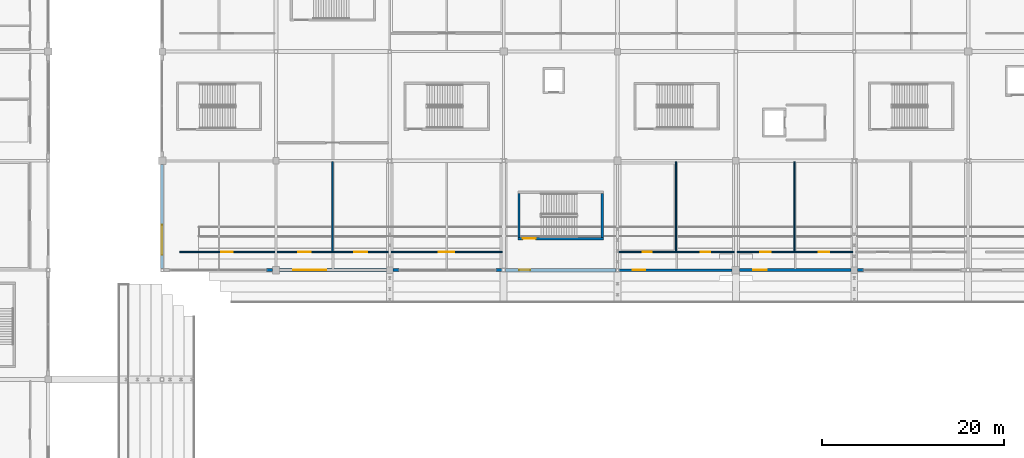
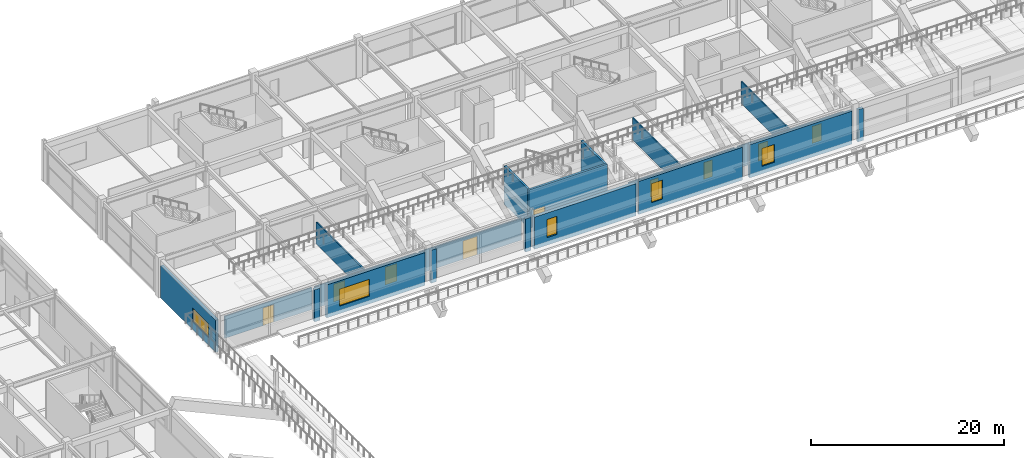
# One storey, part 90 of 128: 20 walls, 9 doors, 5 windows, 14 openings.
"""IFC4 building model written with IfcOpenShell, lengths in metres."""

from ifc_helpers import new_model, si_unit, direction, frame, frame_2d, origin, place, context, subcontext, project, spatial, rectangle, extrude, material, layer, layer_set, type_object, element, fill, save


model = new_model("IFC4")

# Units and contexts
model_context = context("Model", 3, precision=1e-05, world=origin(), true_north=direction((0.0, 1.0)))
body_context = subcontext(model_context, "Body", "Model", "MODEL_VIEW")
ifc_project = project(units=[si_unit("LENGTHUNIT", "METRE"), si_unit("AREAUNIT", "SQUARE_METRE"), si_unit("VOLUMEUNIT", "CUBIC_METRE"), si_unit("PLANEANGLEUNIT", "RADIAN"), si_unit("MASSUNIT", "GRAM", prefix="KILO")], contexts=[model_context])

# Site, building, storey
site_placement = place(None, origin())
site = spatial("IfcSite", under=ifc_project, at=site_placement, CompositionType="ELEMENT")
building_placement = place(site_placement, origin())
building = spatial("IfcBuilding", under=site, at=building_placement, Name="Kazenohara Klinker Stadium", CompositionType="ELEMENT")
storey_placement = place(building_placement, frame((0.0, 0.0, 15.300048828125)))
storey = spatial("IfcBuildingStorey", under=building, at=storey_placement, Name="L03", CompositionType="ELEMENT", Elevation=15.300048828125)

# Wall, opening, door
ifc_material_1 = material(Name="Concrete C40/50", Category="concrete")
ifc_layer_1 = layer(ifc_material_1, 0.25)
ifc_layer_set_1 = layer_set([ifc_layer_1], Name="Concrete C40/50")
wall_type_1 = type_object("IfcWallType", Name="WAL-CORE-250", PredefinedType="SHEAR", material=ifc_layer_set_1)
wall_1_placement = place(storey_placement, frame((88.050048828125, 135.455078125, 0.0), z_axis=(0.0, 0.0, 1.0), x_axis=(1.0, 0.0, 0.0)))
wall_1 = element("IfcWall", 1, at=wall_1_placement, inside=storey, type_object=wall_type_1, Name="Stairwell shear wall ST19 L03 South", PredefinedType="SHEAR", context=body_context, shape_type="SweptSolid", body=[
    extrude(rectangle(XDim=9.39990234375, YDim=0.25, at=frame_2d((4.699951171875, 0.0))), origin(), (0.0, 0.0, 1.0), 4.85986328125),
])
opening_1_placement = place(wall_1_placement, frame((0.550048828125, 0.0, 0.0)))
opening_1 = element("IfcOpeningElement", 2, at=opening_1_placement, cuts=wall_1, Name="Opening SD01", PredefinedType="OPENING", context=body_context, shape_type="SweptSolid", body=[
    extrude(rectangle(XDim=1.39990234375, YDim=2.14990234375, at=frame_2d((0.699951171875, 1.074951171875))), frame((0.0, 0.135009765625, 0.0), z_axis=(0.0, -1.0, 0.0), x_axis=(1.0, 0.0, 0.0)), (0.0, 0.0, 1.0), 0.27001953125),
])
ifc_material_2 = material(Name="Flush painted steel fire door leaf", Category="steel")
door_type_1 = type_object("IfcDoorType", Name="DR-STR-1400x2150", OperationType="NOTDEFINED", PredefinedType="DOOR", material=ifc_material_2)
door_1_placement = place(opening_1_placement, origin())
door_1 = element("IfcDoor", 3, at=door_1_placement, inside=storey, type_object=door_type_1, Name="Escape stairwell fire door ST19-L03", OperationType="SINGLE_SWING_RIGHT", OverallHeight=2.14990234375, OverallWidth=1.39990234375, PredefinedType="DOOR", context=body_context, shape_type="SweptSolid", body=[
    extrude(rectangle(XDim=1.39990234375, YDim=2.14990234375, at=frame_2d((0.699951171875, 1.074951171875))), frame((0.0, 0.02490234375, 0.0), z_axis=(0.0, -1.0, 0.0), x_axis=(1.0, 0.0, 0.0)), (0.0, 0.0, 1.0), 0.050048828125),
])
fill(opening_1, door_1)

# Walls
for number, where, z_axis, x_axis, name in (
    (4, (88.175048828125, 135.580078125, 0.0), (0.0, 0.0, 1.0), (0.0, 1.0, 0.0), "Stairwell shear wall ST19 L03 West"),
    (5, (97.324951171875, 135.580078125, 0.0), (0.0, 0.0, 1.0), (0.0, 1.0, 0.0), "Stairwell shear wall ST19 L03 East"),
):
    element("IfcWall", number, at=place(storey_placement, frame(where, z_axis=z_axis, x_axis=x_axis)), inside=storey, type_object=wall_type_1, Name=name, PredefinedType="SHEAR", context=body_context, shape_type="SweptSolid", body=[
        extrude(rectangle(XDim=4.83984375, YDim=0.25, at=frame_2d((2.419921875, 0.0))), origin(), (0.0, 0.0, 1.0), 4.85986328125),
    ])

# Wall, opening, window
ifc_material_3 = material(Name="Clinker brick masonry", Category="masonry")
ifc_layer_2 = layer(ifc_material_3, 0.280029296875)
ifc_layer_set_2 = layer_set([ifc_layer_2], Name="Clinker brick masonry")
wall_type_2 = type_object("IfcWallType", Name="WAL-EXT-CB280", PredefinedType="SOLIDWALL", material=ifc_layer_set_2)
wall_2_placement = place(storey_placement, frame((99.178955078125, 132.0, 0.0), z_axis=(0.0, 0.0, 1.0), x_axis=(1.0, 0.0, 0.0)))
wall_2 = element("IfcWall", 6, at=wall_2_placement, inside=storey, type_object=wall_type_2, Name="Clinker brick cavity wall EW06 L03 X8-11", PredefinedType="SOLIDWALL", context=body_context, shape_type="SweptSolid", body=[
    extrude(rectangle(XDim=12.4169921875, YDim=0.280029296875, at=frame_2d((6.20849609375, 0.0))), origin(), (0.0, 0.0, 1.0), 4.159912109375),
])
opening_2_placement = place(wall_2_placement, frame((1.5, 0.0, 0.949951171875)))
opening_2 = element("IfcOpeningElement", 7, at=opening_2_placement, cuts=wall_2, Name="Opening W08", PredefinedType="OPENING", context=body_context, shape_type="SweptSolid", body=[
    extrude(rectangle(XDim=1.35009765625, YDim=2.39990234375, at=frame_2d((0.675048828125, 1.199951171875))), frame((0.0, 0.14990234375, 0.0), z_axis=(0.0, -1.0, 0.0), x_axis=(1.0, 0.0, 0.0)), (0.0, 0.0, 1.0), 0.300048828125),
])
ifc_material_4 = material(Name="Dark bronze aluminium frame and triple glazing", Category="aluminium")
window_type_1 = type_object("IfcWindowType", Name="WIN-AS-08", PartitioningType="SINGLE_PANEL", PredefinedType="WINDOW", material=ifc_material_4)
window_1_placement = place(opening_2_placement, origin())
window_1 = element("IfcWindow", 8, at=window_1_placement, inside=storey, type_object=window_type_1, Name="Horizontal-mullion ladder window W08 L03 X8-11", OverallHeight=2.39990234375, OverallWidth=1.35009765625, PartitioningType="SINGLE_PANEL", PredefinedType="WINDOW", context=body_context, shape_type="SweptSolid", body=[
    extrude(rectangle(XDim=1.35009765625, YDim=2.39990234375, at=frame_2d((0.675048828125, 1.199951171875))), frame((0.0, 0.030029296875, 0.0), z_axis=(0.0, -1.0, 0.0), x_axis=(1.0, 0.0, 0.0)), (0.0, 0.0, 1.0), 0.06005859375),
])
fill(opening_2, window_1)

# Wall
ifc_layer_3 = layer(ifc_material_3, 0.340087890625)
ifc_layer_set_3 = layer_set([ifc_layer_3], Name="Clinker brick masonry")
wall_type_3 = type_object("IfcWallType", Name="WAL-EXT-CB340", PredefinedType="SOLIDWALL", material=ifc_layer_set_3)
wall_3_placement = place(storey_placement, frame((60.446044921875, 132.0, 0.0), z_axis=(0.0, 0.0, 1.0), x_axis=(1.0, 0.0, 0.0)))
element("IfcWall", 9, at=wall_3_placement, inside=storey, type_object=wall_type_3, Name="Clinker brick curtain-wall jamb pier L03 X4-11 B", PredefinedType="SOLIDWALL", context=body_context, shape_type="SweptSolid", body=[
    extrude(rectangle(XDim=0.64990234375, YDim=0.340087890625, at=frame_2d((0.324951171875, 0.0))), origin(), (0.0, 0.0, 1.0), 4.06005859375),
])

# Wall, opening, window
wall_4_placement = place(storey_placement, frame((49.0, 132.178955078125, 0.0), z_axis=(0.0, 0.0, 1.0), x_axis=(0.0, 1.0, 0.0)))
wall_4 = element("IfcWall", 10, at=wall_4_placement, inside=storey, type_object=wall_type_3, Name="Clinker brick cavity wall EW04 L03 Y4-11", PredefinedType="SOLIDWALL", context=body_context, shape_type="SweptSolid", body=[
    extrude(rectangle(XDim=11.4169921875, YDim=0.340087890625, at=frame_2d((5.70849609375, 0.0))), origin(), (0.0, 0.0, 1.0), 4.06005859375),
])
opening_3_placement = place(wall_4_placement, frame((1.5, 0.0, 0.949951171875)))
opening_3 = element("IfcOpeningElement", 11, at=opening_3_placement, cuts=wall_4, Name="Opening W33", PredefinedType="OPENING", context=body_context, shape_type="SweptSolid", body=[
    extrude(rectangle(XDim=3.300048828125, YDim=1.800048828125, at=frame_2d((1.64990234375, 0.89990234375))), frame((0.0, 0.18017578125, 0.0), z_axis=(0.0, -1.0, 0.0), x_axis=(1.0, 0.0, 0.0)), (0.0, 0.0, 1.0), 0.360107421875),
])
window_type_2 = type_object("IfcWindowType", Name="WIN-AS-33", PartitioningType="SINGLE_PANEL", PredefinedType="WINDOW", material=ifc_material_4)
window_2_placement = place(opening_3_placement, origin())
window_2 = element("IfcWindow", 12, at=window_2_placement, inside=storey, type_object=window_type_2, Name="Horizontal-mullion ladder window W33 L03 Y4-11", OverallHeight=1.800048828125, OverallWidth=3.300048828125, PartitioningType="SINGLE_PANEL", PredefinedType="WINDOW", context=body_context, shape_type="SweptSolid", body=[
    extrude(rectangle(XDim=3.300048828125, YDim=1.800048828125, at=frame_2d((1.64990234375, 0.89990234375))), frame((0.0, 0.030029296875, 0.0), z_axis=(0.0, -1.0, 0.0), x_axis=(1.0, 0.0, 0.0)), (0.0, 0.0, 1.0), 0.06005859375),
])
fill(opening_3, window_2)

wall_5_placement = place(storey_placement, frame((61.904052734375, 132.0, 0.0), z_axis=(0.0, 0.0, 1.0), x_axis=(1.0, 0.0, 0.0)))
wall_5 = element("IfcWall", 13, at=wall_5_placement, inside=storey, type_object=wall_type_3, Name="Clinker brick cavity wall EW04 L03 X5-11", PredefinedType="SOLIDWALL", context=body_context, shape_type="SweptSolid", body=[
    extrude(rectangle(XDim=11.741943359375, YDim=0.340087890625, at=frame_2d((5.87109375, 0.0))), origin(), (0.0, 0.0, 1.0), 4.159912109375),
])
opening_4_placement = place(wall_5_placement, frame((1.5, 0.0, 0.949951171875)))
opening_4 = element("IfcOpeningElement", 14, at=opening_4_placement, cuts=wall_5, Name="Opening W36", PredefinedType="OPENING", context=body_context, shape_type="SweptSolid", body=[
    extrude(rectangle(XDim=3.60009765625, YDim=2.14990234375, at=frame_2d((1.800048828125, 1.074951171875))), frame((0.0, 0.18017578125, 0.0), z_axis=(0.0, -1.0, 0.0), x_axis=(1.0, 0.0, 0.0)), (0.0, 0.0, 1.0), 0.360107421875),
])
window_type_3 = type_object("IfcWindowType", Name="WIN-AS-36", PartitioningType="SINGLE_PANEL", PredefinedType="WINDOW", material=ifc_material_4)
window_3_placement = place(opening_4_placement, origin())
window_3 = element("IfcWindow", 15, at=window_3_placement, inside=storey, type_object=window_type_3, Name="Horizontal-mullion ladder window W36 L03 X5-11", OverallHeight=2.14990234375, OverallWidth=3.60009765625, PartitioningType="SINGLE_PANEL", PredefinedType="WINDOW", context=body_context, shape_type="SweptSolid", body=[
    extrude(rectangle(XDim=3.60009765625, YDim=2.14990234375, at=frame_2d((1.800048828125, 1.074951171875))), frame((0.0, 0.030029296875, 0.0), z_axis=(0.0, -1.0, 0.0), x_axis=(1.0, 0.0, 0.0)), (0.0, 0.0, 1.0), 0.06005859375),
])
fill(opening_4, window_3)

# Walls
for number, where, z_axis, x_axis, name in (
    (16, (74.35400390625, 132.0, 0.0), (0.0, 0.0, 1.0), (1.0, 0.0, 0.0), "Clinker brick curtain-wall jamb pier L03 X6-11 A"),
    (17, (85.64599609375, 132.0, 0.0), (0.0, 0.0, 1.0), (1.0, 0.0, 0.0), "Clinker brick curtain-wall jamb pier L03 X6-11 B"),
):
    element("IfcWall", number, at=place(storey_placement, frame(where, z_axis=z_axis, x_axis=x_axis)), inside=storey, type_object=wall_type_3, Name=name, PredefinedType="SOLIDWALL", context=body_context, shape_type="SweptSolid", body=[
        extrude(rectangle(XDim=0.64990234375, YDim=0.340087890625, at=frame_2d((0.324951171875, 0.0))), origin(), (0.0, 0.0, 1.0), 4.171875),
    ])

# Wall, opening, window
wall_6_placement = place(storey_placement, frame((112.404052734375, 132.0, 0.0), z_axis=(0.0, 0.0, 1.0), x_axis=(1.0, 0.0, 0.0)))
wall_6 = element("IfcWall", 18, at=wall_6_placement, inside=storey, type_object=wall_type_3, Name="Clinker brick cavity wall EW04 L03 X9-11", PredefinedType="SOLIDWALL", context=body_context, shape_type="SweptSolid", body=[
    extrude(rectangle(XDim=12.241943359375, YDim=0.340087890625, at=frame_2d((6.12109375, 0.0))), origin(), (0.0, 0.0, 1.0), 4.171875),
])
opening_5_placement = place(wall_6_placement, frame((1.5, 0.0, 0.949951171875)))
opening_5 = element("IfcOpeningElement", 19, at=opening_5_placement, cuts=wall_6, Name="Opening W10", PredefinedType="OPENING", context=body_context, shape_type="SweptSolid", body=[
    extrude(rectangle(XDim=1.5, YDim=2.25, at=frame_2d((0.75, 1.125))), frame((0.0, 0.18017578125, 0.0), z_axis=(0.0, -1.0, 0.0), x_axis=(1.0, 0.0, 0.0)), (0.0, 0.0, 1.0), 0.360107421875),
])
window_type_4 = type_object("IfcWindowType", Name="WIN-AS-10", PartitioningType="SINGLE_PANEL", PredefinedType="WINDOW", material=ifc_material_4)
window_4_placement = place(opening_5_placement, origin())
window_4 = element("IfcWindow", 20, at=window_4_placement, inside=storey, type_object=window_type_4, Name="Horizontal-mullion ladder window W10 L03 X9-11", OverallHeight=2.25, OverallWidth=1.5, PartitioningType="SINGLE_PANEL", PredefinedType="WINDOW", context=body_context, shape_type="SweptSolid", body=[
    extrude(rectangle(XDim=1.5, YDim=2.25, at=frame_2d((0.75, 1.125))), frame((0.0, 0.030029296875, 0.0), z_axis=(0.0, -1.0, 0.0), x_axis=(1.0, 0.0, 0.0)), (0.0, 0.0, 1.0), 0.06005859375),
])
fill(opening_5, window_4)

# Wall
wall_7_placement = place(storey_placement, frame((125.35400390625, 132.0, 0.0), z_axis=(0.0, 0.0, 1.0), x_axis=(1.0, 0.0, 0.0)))
element("IfcWall", 21, at=wall_7_placement, inside=storey, type_object=wall_type_3, Name="Clinker brick curtain-wall jamb pier L03 X10-11 A", PredefinedType="SOLIDWALL", context=body_context, shape_type="SweptSolid", body=[
    extrude(rectangle(XDim=0.64990234375, YDim=0.340087890625, at=frame_2d((0.324951171875, 0.0))), origin(), (0.0, 0.0, 1.0), 4.06005859375),
])

# Wall, opening, window
ifc_layer_4 = layer(ifc_material_3, 0.409912109375)
ifc_layer_set_4 = layer_set([ifc_layer_4], Name="Clinker brick masonry")
wall_type_4 = type_object("IfcWallType", Name="WAL-EXT-CB410", PredefinedType="SOLIDWALL", material=ifc_layer_set_4)
wall_8_placement = place(storey_placement, frame((86.7041015625, 132.0, 0.0), z_axis=(0.0, 0.0, 1.0), x_axis=(1.0, 0.0, 0.0)))
wall_8 = element("IfcWall", 22, at=wall_8_placement, inside=storey, type_object=wall_type_4, Name="Clinker brick cavity wall EW02 L03 X7-11", PredefinedType="SOLIDWALL", context=body_context, shape_type="SweptSolid", body=[
    extrude(rectangle(XDim=12.116943359375, YDim=0.409912109375, at=frame_2d((6.05859375, 0.0))), origin(), (0.0, 0.0, 1.0), 4.06005859375),
])
opening_6_placement = place(wall_8_placement, frame((1.5, 0.0, 0.949951171875)))
opening_6 = element("IfcOpeningElement", 23, at=opening_6_placement, cuts=wall_8, Name="Opening W06", PredefinedType="OPENING", context=body_context, shape_type="SweptSolid", body=[
    extrude(rectangle(XDim=1.199951171875, YDim=2.300048828125, at=frame_2d((0.60009765625, 1.14990234375))), frame((0.0, 0.21484375, 0.0), z_axis=(0.0, -1.0, 0.0), x_axis=(1.0, 0.0, 0.0)), (0.0, 0.0, 1.0), 0.429931640625),
])
window_type_5 = type_object("IfcWindowType", Name="WIN-AS-06", PartitioningType="SINGLE_PANEL", PredefinedType="WINDOW", material=ifc_material_4)
window_5_placement = place(opening_6_placement, origin())
window_5 = element("IfcWindow", 24, at=window_5_placement, inside=storey, type_object=window_type_5, Name="Horizontal-mullion ladder window W06 L03 X7-11", OverallHeight=2.300048828125, OverallWidth=1.199951171875, PartitioningType="SINGLE_PANEL", PredefinedType="WINDOW", context=body_context, shape_type="SweptSolid", body=[
    extrude(rectangle(XDim=1.199951171875, YDim=2.300048828125, at=frame_2d((0.60009765625, 1.14990234375))), frame((0.0, 0.030029296875, 0.0), z_axis=(0.0, -1.0, 0.0), x_axis=(1.0, 0.0, 0.0)), (0.0, 0.0, 1.0), 0.06005859375),
])
fill(opening_6, window_5)

# Wall, openings, doors
ifc_material_5 = material(Name="Fire-rated gypsum board on acoustic studs", Category="gypsum")
ifc_layer_5 = layer(ifc_material_5, 0.1201171875)
ifc_layer_set_5 = layer_set([ifc_layer_5], Name="Fire-rated gypsum board on acoustic studs")
wall_type_5 = type_object("IfcWallType", Name="WAL-INT-P120", PredefinedType="PARTITIONING", material=ifc_layer_set_5)
wall_9_placement = place(storey_placement, frame((99.159912109375, 133.989990234375, 0.0), z_axis=(0.0, 0.0, 1.0), x_axis=(1.0, 0.0, 0.0)))
wall_9 = element("IfcWall", 25, at=wall_9_placement, inside=storey, type_object=wall_type_5, Name="Interior partition wall PT02 SPC-L03-08-11-1-1", PredefinedType="PARTITIONING", context=body_context, shape_type="SweptSolid", body=[
    extrude(rectangle(XDim=12.68017578125, YDim=0.1201171875, at=frame_2d((6.340087890625, 0.0))), origin(), (0.0, 0.0, 1.0), 2.77001953125),
])
opening_7_placement = place(wall_9_placement, frame((2.598388671875, 0.0, 0.0)))
opening_7 = element("IfcOpeningElement", 26, at=opening_7_placement, cuts=wall_9, Name="Opening ID05", PredefinedType="OPENING", context=body_context, shape_type="SweptSolid", body=[
    extrude(rectangle(XDim=1.0, YDim=2.139892578125, at=frame_2d((0.5, 1.06982421875))), frame((0.0, 0.070068359375, 0.0), z_axis=(0.0, -1.0, 0.0), x_axis=(1.0, 0.0, 0.0)), (0.0, 0.0, 1.0), 0.14013671875),
])
opening_8_placement = place(wall_9_placement, frame((9.00341796875, 0.0, 0.0)))
opening_8 = element("IfcOpeningElement", 27, at=opening_8_placement, cuts=wall_9, Name="Opening ID06", PredefinedType="OPENING", context=body_context, shape_type="SweptSolid", body=[
    extrude(rectangle(XDim=1.030029296875, YDim=2.1201171875, at=frame_2d((0.51513671875, 1.06005859375))), frame((0.0, 0.070068359375, 0.0), z_axis=(0.0, -1.0, 0.0), x_axis=(1.0, 0.0, 0.0)), (0.0, 0.0, 1.0), 0.14013671875),
])
ifc_material_6 = material(Name="Solid-core Hokkaido oak fire door", Category="wood")
door_type_2 = type_object("IfcDoorType", Name="DR-INT-05", OperationType="NOTDEFINED", PredefinedType="DOOR", material=ifc_material_6)
door_2_placement = place(opening_7_placement, origin())
door_2 = element("IfcDoor", 28, at=door_2_placement, inside=storey, type_object=door_type_2, Name="Interior door ID05 Concourse Cold-Climate Hospitality Lounge L03-0811A", OperationType="SINGLE_SWING_RIGHT", OverallHeight=2.139892578125, OverallWidth=1.0, PredefinedType="DOOR", context=body_context, shape_type="SweptSolid", body=[
    extrude(rectangle(XDim=1.0, YDim=2.139892578125, at=frame_2d((0.5, 1.06982421875))), frame((0.0, 0.02490234375, 0.0), z_axis=(0.0, -1.0, 0.0), x_axis=(1.0, 0.0, 0.0)), (0.0, 0.0, 1.0), 0.050048828125),
])
fill(opening_7, door_2)
door_type_3 = type_object("IfcDoorType", Name="DR-INT-06", OperationType="NOTDEFINED", PredefinedType="DOOR", material=ifc_material_6)
door_3_placement = place(opening_8_placement, origin())
door_3 = element("IfcDoor", 29, at=door_3_placement, inside=storey, type_object=door_type_3, Name="Interior door ID06 Upper Concourse Hot Beverage Bistro L03-0811B", OperationType="SINGLE_SWING_LEFT", OverallHeight=2.1201171875, OverallWidth=1.030029296875, PredefinedType="DOOR", context=body_context, shape_type="SweptSolid", body=[
    extrude(rectangle(XDim=1.030029296875, YDim=2.1201171875, at=frame_2d((0.51513671875, 1.06005859375))), frame((0.0, 0.02490234375, 0.0), z_axis=(0.0, -1.0, 0.0), x_axis=(1.0, 0.0, 0.0)), (0.0, 0.0, 1.0), 0.050048828125),
])
fill(opening_8, door_3)

ifc_layer_6 = layer(ifc_material_5, 0.139892578125)
ifc_layer_set_6 = layer_set([ifc_layer_6], Name="Fire-rated gypsum board on acoustic studs")
wall_type_6 = type_object("IfcWallType", Name="WAL-INT-P140", PredefinedType="PARTITIONING", material=ifc_layer_set_6)
wall_10_placement = place(storey_placement, frame((61.659912109375, 133.989990234375, 0.0), z_axis=(0.0, 0.0, 1.0), x_axis=(1.0, 0.0, 0.0)))
wall_10 = element("IfcWall", 30, at=wall_10_placement, inside=storey, type_object=wall_type_6, Name="Interior partition wall PT03 SPC-L03-05-11-1-1", PredefinedType="PARTITIONING", context=body_context, shape_type="SweptSolid", body=[
    extrude(rectangle(XDim=12.18017578125, YDim=0.139892578125, at=frame_2d((6.090087890625, 0.0))), origin(), (0.0, 0.0, 1.0), 2.77001953125),
])
opening_9_placement = place(wall_10_placement, frame((2.29443359375, 0.0, 0.0)))
opening_9 = element("IfcOpeningElement", 31, at=opening_9_placement, cuts=wall_10, Name="Opening ID17", PredefinedType="OPENING", context=body_context, shape_type="SweptSolid", body=[
    extrude(rectangle(XDim=1.360107421875, YDim=2.25, at=frame_2d((0.68017578125, 1.125))), frame((0.0, 0.080078125, 0.0), z_axis=(0.0, -1.0, 0.0), x_axis=(1.0, 0.0, 0.0)), (0.0, 0.0, 1.0), 0.159912109375),
])
opening_10_placement = place(wall_10_placement, frame((8.444580078125, 0.0, 0.0)))
opening_10 = element("IfcOpeningElement", 32, at=opening_10_placement, cuts=wall_10, Name="Opening ID18", PredefinedType="OPENING", context=body_context, shape_type="SweptSolid", body=[
    extrude(rectangle(XDim=1.39990234375, YDim=2.239990234375, at=frame_2d((0.699951171875, 1.1201171875))), frame((0.0, 0.080078125, 0.0), z_axis=(0.0, -1.0, 0.0), x_axis=(1.0, 0.0, 0.0)), (0.0, 0.0, 1.0), 0.159912109375),
])
door_type_4 = type_object("IfcDoorType", Name="DR-INT-17", OperationType="NOTDEFINED", PredefinedType="DOOR", material=ifc_material_6)
door_4_placement = place(opening_9_placement, origin())
door_4 = element("IfcDoor", 33, at=door_4_placement, inside=storey, type_object=door_type_4, Name="Interior door ID17 Upper Concourse Supporter Dining Pavilion L03-0511A", OperationType="SINGLE_SWING_RIGHT", OverallHeight=2.25, OverallWidth=1.360107421875, PredefinedType="DOOR", context=body_context, shape_type="SweptSolid", body=[
    extrude(rectangle(XDim=1.360107421875, YDim=2.25, at=frame_2d((0.68017578125, 1.125))), frame((0.0, 0.02490234375, 0.0), z_axis=(0.0, -1.0, 0.0), x_axis=(1.0, 0.0, 0.0)), (0.0, 0.0, 1.0), 0.050048828125),
])
fill(opening_9, door_4)
door_type_5 = type_object("IfcDoorType", Name="DR-INT-18", OperationType="NOTDEFINED", PredefinedType="DOOR", material=ifc_material_6)
door_5_placement = place(opening_10_placement, origin())
door_5 = element("IfcDoor", 34, at=door_5_placement, inside=storey, type_object=door_type_5, Name="Interior door ID18 Supporter Tifo Workshop Studio L03-0511B", OperationType="SINGLE_SWING_LEFT", OverallHeight=2.239990234375, OverallWidth=1.39990234375, PredefinedType="DOOR", context=body_context, shape_type="SweptSolid", body=[
    extrude(rectangle(XDim=1.39990234375, YDim=2.239990234375, at=frame_2d((0.699951171875, 1.1201171875))), frame((0.0, 0.02490234375, 0.0), z_axis=(0.0, -1.0, 0.0), x_axis=(1.0, 0.0, 0.0)), (0.0, 0.0, 1.0), 0.050048828125),
])
fill(opening_10, door_5)

# Wall, opening, door
wall_11_placement = place(storey_placement, frame((74.159912109375, 133.989990234375, 0.0), z_axis=(0.0, 0.0, 1.0), x_axis=(1.0, 0.0, 0.0)))
wall_11 = element("IfcWall", 35, at=wall_11_placement, inside=storey, type_object=wall_type_6, Name="Interior partition wall PT03 SPC-L03-06-11-1-1", PredefinedType="PARTITIONING", context=body_context, shape_type="SweptSolid", body=[
    extrude(rectangle(XDim=12.18017578125, YDim=0.139892578125, at=frame_2d((6.090087890625, 0.0))), origin(), (0.0, 0.0, 1.0), 2.77001953125),
])
opening_11_placement = place(wall_11_placement, frame((5.239990234375, 0.0, 0.0)))
opening_11 = element("IfcOpeningElement", 36, at=opening_11_placement, cuts=wall_11, Name="Opening ID25", PredefinedType="OPENING", context=body_context, shape_type="SweptSolid", body=[
    extrude(rectangle(XDim=1.699951171875, YDim=2.320068359375, at=frame_2d((0.85009765625, 1.16015625))), frame((0.0, 0.080078125, 0.0), z_axis=(0.0, -1.0, 0.0), x_axis=(1.0, 0.0, 0.0)), (0.0, 0.0, 1.0), 0.159912109375),
])
ifc_material_7 = material(Name="Painted steel plant fire door", Category="steel")
door_type_6 = type_object("IfcDoorType", Name="DR-INT-25", OperationType="NOTDEFINED", PredefinedType="DOOR", material=ifc_material_7)
door_6_placement = place(opening_11_placement, origin())
door_6 = element("IfcDoor", 37, at=door_6_placement, inside=storey, type_object=door_type_6, Name="Interior door ID25 East Panorama Concourse Dining Court L03-0611A", OperationType="SINGLE_SWING_RIGHT", OverallHeight=2.320068359375, OverallWidth=1.699951171875, PredefinedType="DOOR", context=body_context, shape_type="SweptSolid", body=[
    extrude(rectangle(XDim=1.699951171875, YDim=2.320068359375, at=frame_2d((0.85009765625, 1.16015625))), frame((0.0, 0.02490234375, 0.0), z_axis=(0.0, -1.0, 0.0), x_axis=(1.0, 0.0, 0.0)), (0.0, 0.0, 1.0), 0.050048828125),
])
fill(opening_11, door_6)

# Wall
wall_12_placement = place(storey_placement, frame((105.4365234375, 134.054931640625, 0.0), z_axis=(0.0, 0.0, 1.0), x_axis=(0.0, 1.0, 0.0)))
element("IfcWall", 38, at=wall_12_placement, inside=storey, type_object=wall_type_6, Name="Interior partition wall PT03 SPC-L03-08-11-1-2", PredefinedType="PARTITIONING", context=body_context, shape_type="SweptSolid", body=[
    extrude(rectangle(XDim=9.864990234375, YDim=0.139892578125, at=frame_2d((4.9326171875, 0.0))), origin(), (0.0, 0.0, 1.0), 2.77001953125),
])

# Wall, openings, doors
wall_13_placement = place(storey_placement, frame((112.159912109375, 133.989990234375, 0.0), z_axis=(0.0, 0.0, 1.0), x_axis=(1.0, 0.0, 0.0)))
wall_13 = element("IfcWall", 39, at=wall_13_placement, inside=storey, type_object=wall_type_6, Name="Interior partition wall PT03 SPC-L03-09-11-1-1", PredefinedType="PARTITIONING", context=body_context, shape_type="SweptSolid", body=[
    extrude(rectangle(XDim=12.68017578125, YDim=0.139892578125, at=frame_2d((6.340087890625, 0.0))), origin(), (0.0, 0.0, 1.0), 2.77001953125),
])
opening_12_placement = place(wall_13_placement, frame((2.538330078125, 0.0, 0.0)))
opening_12 = element("IfcOpeningElement", 40, at=opening_12_placement, cuts=wall_13, Name="Opening ID09", PredefinedType="OPENING", context=body_context, shape_type="SweptSolid", body=[
    extrude(rectangle(XDim=1.1201171875, YDim=2.179931640625, at=frame_2d((0.56005859375, 1.08984375))), frame((0.0, 0.080078125, 0.0), z_axis=(0.0, -1.0, 0.0), x_axis=(1.0, 0.0, 0.0)), (0.0, 0.0, 1.0), 0.159912109375),
])
opening_13_placement = place(wall_13_placement, frame((8.943359375, 0.0, 0.0)))
opening_13 = element("IfcOpeningElement", 41, at=opening_13_placement, cuts=wall_13, Name="Opening ID10", PredefinedType="OPENING", context=body_context, shape_type="SweptSolid", body=[
    extrude(rectangle(XDim=1.14990234375, YDim=2.14990234375, at=frame_2d((0.574951171875, 1.074951171875))), frame((0.0, 0.080078125, 0.0), z_axis=(0.0, -1.0, 0.0), x_axis=(1.0, 0.0, 0.0)), (0.0, 0.0, 1.0), 0.159912109375),
])
door_type_7 = type_object("IfcDoorType", Name="DR-INT-09", OperationType="NOTDEFINED", PredefinedType="DOOR", material=ifc_material_6)
door_7_placement = place(opening_12_placement, origin())
door_7 = element("IfcDoor", 42, at=door_7_placement, inside=storey, type_object=door_type_7, Name="Interior door ID09 Upper Concourse Hot Beverage Bistro L03-0911A", OperationType="SINGLE_SWING_RIGHT", OverallHeight=2.179931640625, OverallWidth=1.1201171875, PredefinedType="DOOR", context=body_context, shape_type="SweptSolid", body=[
    extrude(rectangle(XDim=1.1201171875, YDim=2.179931640625, at=frame_2d((0.56005859375, 1.08984375))), frame((0.0, 0.02490234375, 0.0), z_axis=(0.0, -1.0, 0.0), x_axis=(1.0, 0.0, 0.0)), (0.0, 0.0, 1.0), 0.050048828125),
])
fill(opening_12, door_7)
door_type_8 = type_object("IfcDoorType", Name="DR-INT-10", OperationType="NOTDEFINED", PredefinedType="DOOR", material=ifc_material_6)
door_8_placement = place(opening_13_placement, origin())
door_8 = element("IfcDoor", 43, at=door_8_placement, inside=storey, type_object=door_type_8, Name="Interior door ID10 Upper Stand First-Aid Medical Clinic L03-0911B", OperationType="SINGLE_SWING_LEFT", OverallHeight=2.14990234375, OverallWidth=1.14990234375, PredefinedType="DOOR", context=body_context, shape_type="SweptSolid", body=[
    extrude(rectangle(XDim=1.14990234375, YDim=2.14990234375, at=frame_2d((0.574951171875, 1.074951171875))), frame((0.0, 0.02490234375, 0.0), z_axis=(0.0, -1.0, 0.0), x_axis=(1.0, 0.0, 0.0)), (0.0, 0.0, 1.0), 0.050048828125),
])
fill(opening_13, door_8)

# Wall, opening, door
ifc_layer_7 = layer(ifc_material_5, 0.14990234375)
ifc_layer_set_7 = layer_set([ifc_layer_7], Name="Fire-rated gypsum board on acoustic studs")
wall_type_7 = type_object("IfcWallType", Name="WAL-INT-P150", PredefinedType="PARTITIONING", material=ifc_layer_set_7)
wall_14_placement = place(storey_placement, frame((50.919921875, 133.989990234375, 0.0), z_axis=(0.0, 0.0, 1.0), x_axis=(1.0, 0.0, 0.0)))
wall_14 = element("IfcWall", 44, at=wall_14_placement, inside=storey, type_object=wall_type_7, Name="Interior partition wall PT04 SPC-L03-04-11-1-1", PredefinedType="PARTITIONING", context=body_context, shape_type="SweptSolid", body=[
    extrude(rectangle(XDim=10.420166015625, YDim=0.14990234375, at=frame_2d((5.2099609375, 0.0))), origin(), (0.0, 0.0, 1.0), 2.77001953125),
])
opening_14_placement = place(wall_14_placement, frame((4.56005859375, 0.0, 0.0)))
opening_14 = element("IfcOpeningElement", 45, at=opening_14_placement, cuts=wall_14, Name="Opening ID15", PredefinedType="OPENING", context=body_context, shape_type="SweptSolid", body=[
    extrude(rectangle(XDim=1.300048828125, YDim=2.239990234375, at=frame_2d((0.64990234375, 1.1201171875))), frame((0.0, 0.0849609375, 0.0), z_axis=(0.0, -1.0, 0.0), x_axis=(1.0, 0.0, 0.0)), (0.0, 0.0, 1.0), 0.169921875),
])
door_type_9 = type_object("IfcDoorType", Name="DR-INT-15", OperationType="NOTDEFINED", PredefinedType="DOOR", material=ifc_material_6)
door_9_placement = place(opening_14_placement, origin())
door_9 = element("IfcDoor", 46, at=door_9_placement, inside=storey, type_object=door_type_9, Name="Interior door ID15 Upper Concourse Hot Beverage Bistro L03-0411A", OperationType="SINGLE_SWING_RIGHT", OverallHeight=2.239990234375, OverallWidth=1.300048828125, PredefinedType="DOOR", context=body_context, shape_type="SweptSolid", body=[
    extrude(rectangle(XDim=1.300048828125, YDim=2.239990234375, at=frame_2d((0.64990234375, 1.1201171875))), frame((0.0, 0.02490234375, 0.0), z_axis=(0.0, -1.0, 0.0), x_axis=(1.0, 0.0, 0.0)), (0.0, 0.0, 1.0), 0.050048828125),
])
fill(opening_14, door_9)

# Walls
for number, where, z_axis, x_axis, name in (
    (47, (67.689208984375, 134.06494140625, 0.0), (0.0, 0.0, 1.0), (0.0, 1.0, 0.0), "Interior partition wall PT04 SPC-L03-05-11-1-2"),
    (48, (118.4365234375, 134.06494140625, 0.0), (0.0, 0.0, 1.0), (0.0, 1.0, 0.0), "Interior partition wall PT04 SPC-L03-09-11-1-2"),
):
    element("IfcWall", number, at=place(storey_placement, frame(where, z_axis=z_axis, x_axis=x_axis)), inside=storey, type_object=wall_type_7, Name=name, PredefinedType="PARTITIONING", context=body_context, shape_type="SweptSolid", body=[
        extrude(rectangle(XDim=9.85498046875, YDim=0.14990234375, at=frame_2d((4.927490234375, 0.0))), origin(), (0.0, 0.0, 1.0), 2.77001953125),
    ])

save(model, "model.ifc")
